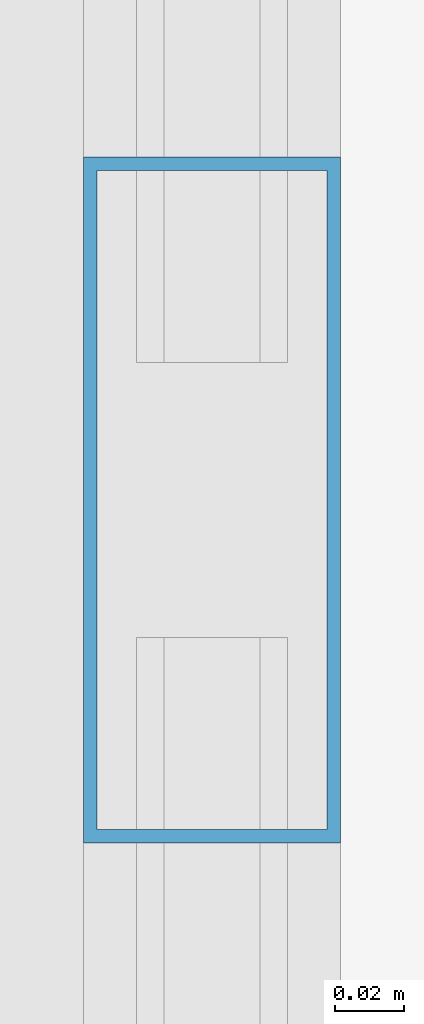
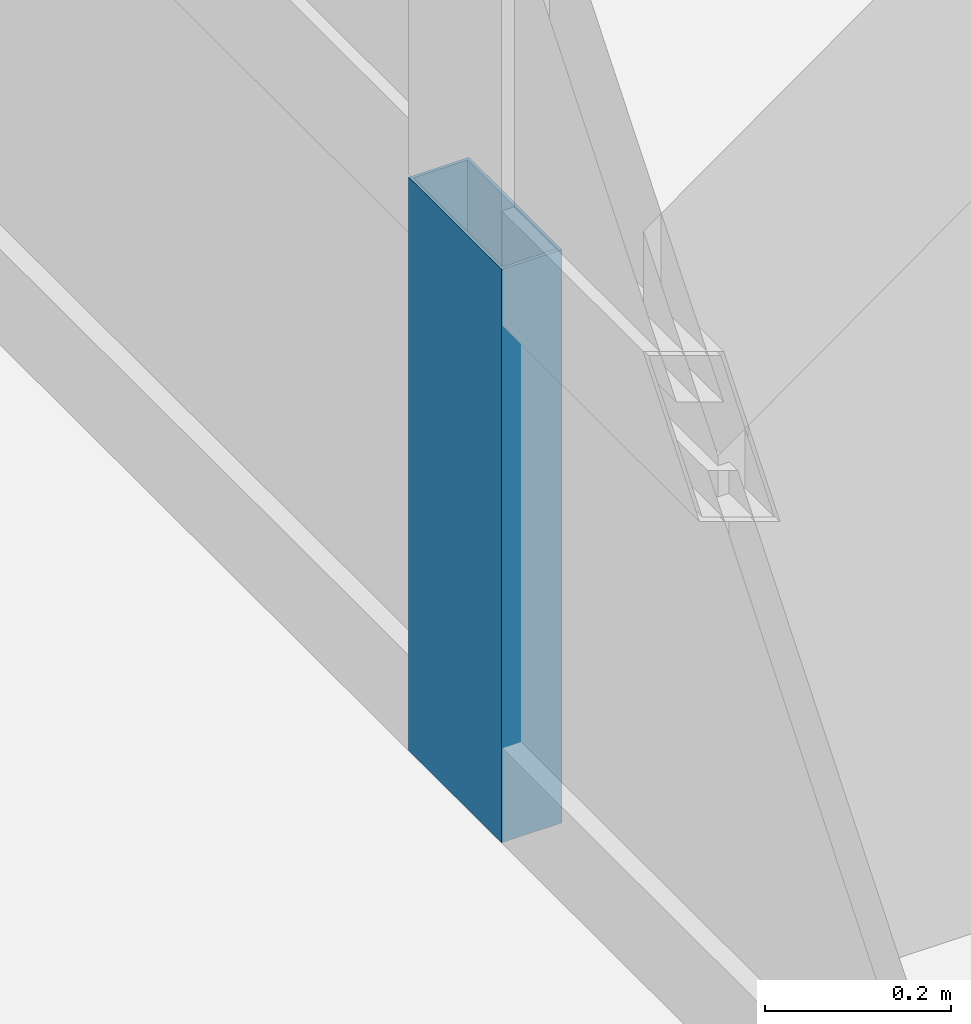
# One storey, part 22 of 34: 1 member, 1 element without a shape of its own.
"""IFC4 building model written with IfcOpenShell, lengths in metres."""

import ifcopenshell
import ifcopenshell.guid

model = None  # the IFC model being written
_history = None  # IfcOwnerHistory: only IFC2X3 demands one
_inside = {}  # id of a spatial element -> (the spatial element, [elements in it])
_under = {}  # id of a project, library or spatial element -> (it, [spatial elements below it])
_declared = {}  # id of a project -> (the project, [libraries it declares])
_typed = {}  # id of a type object -> (the type object, [elements of that type])
_made_of = {}  # id of a material, layer set ... -> (it, [elements and type objects made of it])


def new_model(schema):
    """Start an empty IFC model of exactly this schema.

    Asked for "IFC4X3", IfcOpenShell would pick the latest addendum, in which some entities
    have other attributes; the version numbers below select the first issue.
    IFC2X3 requires an IfcOwnerHistory on every rooted entity: one is made here for all.
    """
    global model, _history
    if schema == "IFC4X3":
        model = ifcopenshell.file(schema_version=(4, 3, 0, 0))
    else:
        model = ifcopenshell.file(schema=schema)
    _inside.clear()
    _under.clear()
    _declared.clear()
    _typed.clear()
    _made_of.clear()
    _history = None
    if model.schema == "IFC2X3":
        org = make("IfcOrganization", Name="unknown")
        user = make(
            "IfcPersonAndOrganization",
            ThePerson=make("IfcPerson", FamilyName="unknown"),
            TheOrganization=org,
        )
        app = make(
            "IfcApplication",
            ApplicationDeveloper=org,
            Version="unknown",
            ApplicationFullName="unknown",
            ApplicationIdentifier="unknown",
        )
        _history = make(
            "IfcOwnerHistory",
            OwningUser=user,
            OwningApplication=app,
            ChangeAction="ADDED",
            CreationDate=0,
        )
    return model


def make(cls, **values):
    """One entity of the class cls with the attributes given. An attribute that is None is left unset."""
    return model.create_entity(
        cls, **{name: value for name, value in values.items() if value is not None}
    )


def rooted(cls, **values):
    """An entity with a GlobalId (a new one), such as an element, a storey or a relation."""
    return make(cls, GlobalId=ifcopenshell.guid.new(), OwnerHistory=_history, **values)


def si_unit(unit_type, name, prefix=None):
    """IfcSIUnit, for example si_unit("LENGTHUNIT", "METRE", prefix="MILLI")."""
    return make("IfcSIUnit", UnitType=unit_type, Prefix=prefix, Name=name)


def assignment(units):
    """IfcUnitAssignment: the units of a project."""
    return None if units is None else make("IfcUnitAssignment", Units=units)


def point(xyz):
    """IfcCartesianPoint."""
    return None if xyz is None else make("IfcCartesianPoint", Coordinates=xyz)


def direction(xyz):
    """IfcDirection."""
    return None if xyz is None else make("IfcDirection", DirectionRatios=xyz)


def frame(location, z_axis=None, x_axis=None):
    """IfcAxis2Placement3D, a coordinate frame: its origin and axes. An axis left out is left unset."""
    return make(
        "IfcAxis2Placement3D",
        Location=point(location),
        Axis=direction(z_axis),
        RefDirection=direction(x_axis),
    )


def frame_2d(location, x_axis=None):
    """IfcAxis2Placement2D, a coordinate frame in the plane: its origin and x axis."""
    return make(
        "IfcAxis2Placement2D", Location=point(location), RefDirection=direction(x_axis)
    )


def origin():
    """The frame at (0, 0, 0) with its axes left unset."""
    return frame((0.0, 0.0, 0.0))


def origin_2d():
    """The frame at (0, 0) in the plane with its x axis left unset."""
    return frame_2d((0.0, 0.0))


def place(relative_to, where):
    """IfcLocalPlacement: puts the frame where relative to a parent placement (None: the world)."""
    return make(
        "IfcLocalPlacement", PlacementRelTo=relative_to, RelativePlacement=where
    )


def context(
    kind, dimensions, precision=None, world=None, true_north=None, identifier=None
):
    """IfcGeometricRepresentationContext, for example the 3D "Model" context."""
    return make(
        "IfcGeometricRepresentationContext",
        ContextIdentifier=identifier,
        ContextType=kind,
        CoordinateSpaceDimension=dimensions,
        Precision=precision,
        WorldCoordinateSystem=world,
        TrueNorth=true_north,
    )


def subcontext(parent, identifier, kind, view, scale=None):
    """IfcGeometricRepresentationSubContext, for example "Body" below "Model"."""
    return make(
        "IfcGeometricRepresentationSubContext",
        ContextIdentifier=identifier,
        ContextType=kind,
        ParentContext=parent,
        TargetScale=scale,
        TargetView=view,
    )


def project(units=None, contexts=None):
    """IfcProject with its units and contexts."""
    return rooted(
        "IfcProject",
        Name="project",
        RepresentationContexts=contexts,
        UnitsInContext=assignment(units),
    )


def spatial(cls, under=None, at=None, **own):
    """A site, building, storey or space (cls), placed at a placement, below another one or the project."""
    s = rooted(cls, ObjectPlacement=at, **own)
    if under is not None:
        _under.setdefault(under.id(), (under, []))[1].append(s)
    return s


def profile(cls, at=None, kind="AREA", **sizes):
    """A parametric profile (cls). Its sizes go by their IFC names, for example OverallWidth=200.0."""
    return make(cls, ProfileType=kind, Position=at, **sizes)


def hollow_rectangle(**sizes):
    """IfcRectangleHollowProfileDef."""
    return profile("IfcRectangleHollowProfileDef", **sizes)


def extrude(swept, where, along, depth):
    """IfcExtrudedAreaSolid: the profile swept, set in the frame where, extruded along a direction by depth."""
    return make(
        "IfcExtrudedAreaSolid",
        SweptArea=swept,
        Position=where,
        ExtrudedDirection=direction(along),
        Depth=depth,
    )


def shape(context_of_items, identifier, shape_type, items):
    """IfcShapeRepresentation: the items that make up one representation, for example the "Body"."""
    return make(
        "IfcShapeRepresentation",
        ContextOfItems=context_of_items,
        RepresentationIdentifier=identifier,
        RepresentationType=shape_type,
        Items=items,
    )


def source(mapping_origin, context_of_items, identifier, shape_type, items):
    """IfcRepresentationMap: a shape defined once, which mapped items show again and again."""
    return make(
        "IfcRepresentationMap",
        MappingOrigin=mapping_origin,
        MappedRepresentation=shape(context_of_items, identifier, shape_type, items),
    )


def transform(
    local_origin,
    x_axis=None,
    y_axis=None,
    z_axis=None,
    scale=None,
    scale2=None,
    scale3=None,
    uniform=True,
):
    """IfcCartesianTransformationOperator3D, or its non-uniform kind. x_axis, y_axis, z_axis: its Axis1, 2, 3."""
    if uniform:
        return make(
            "IfcCartesianTransformationOperator3D",
            Axis1=direction(x_axis),
            Axis2=direction(y_axis),
            LocalOrigin=point(local_origin),
            Scale=scale,
            Axis3=direction(z_axis),
        )
    return make(
        "IfcCartesianTransformationOperator3DnonUniform",
        Axis1=direction(x_axis),
        Axis2=direction(y_axis),
        LocalOrigin=point(local_origin),
        Scale=scale,
        Axis3=direction(z_axis),
        Scale2=scale2,
        Scale3=scale3,
    )


def mapped(mapping_source, mapping_target):
    """IfcMappedItem: shows the shape of a source again, moved by a transform."""
    return make(
        "IfcMappedItem", MappingSource=mapping_source, MappingTarget=mapping_target
    )


def material(Name=None, Category=None):
    """IfcMaterial."""
    return make("IfcMaterial", Name=Name, Category=Category)


def layer(
    of_material, thickness, ventilated=None, Name=None, Category=None, Priority=None
):
    """IfcMaterialLayer: one layer of a wall or slab, of a material (None: an air gap)."""
    return make(
        "IfcMaterialLayer",
        Material=of_material,
        LayerThickness=thickness,
        IsVentilated=ventilated,
        Name=Name,
        Category=Category,
        Priority=Priority,
    )


def layer_set(layers, Name=None):
    """IfcMaterialLayerSet."""
    return make("IfcMaterialLayerSet", MaterialLayers=layers, LayerSetName=Name)


def material_profile(
    of_material, cross_section, Name=None, Category=None, Priority=None
):
    """IfcMaterialProfile: a cross section and its material."""
    return make(
        "IfcMaterialProfile",
        Name=Name,
        Material=of_material,
        Profile=cross_section,
        Priority=Priority,
        Category=Category,
    )


def profile_set(profiles, Name=None, composite=None):
    """IfcMaterialProfileSet."""
    return make(
        "IfcMaterialProfileSet",
        Name=Name,
        MaterialProfiles=profiles,
        CompositeProfile=composite,
    )


def made_of(thing, what):
    """Note that an element or type object is made of a material, layer set ...; save() writes the relation."""
    if what is not None:
        _made_of.setdefault(what.id(), (what, []))[1].append(thing)
    return thing


def type_object(cls, material=None, **own):
    """A type object (cls), such as IfcWallType, which elements share."""
    return made_of(rooted(cls, **own), material)


def element(
    cls,
    number,
    at=None,
    inside=None,
    cuts=None,
    type_object=None,
    material=None,
    context=None,
    identifier="Body",
    shape_type=None,
    held_by="IfcProductDefinitionShape",
    body=None,
    shapes=None,
    **own,
):
    """One element of the class cls, such as IfcWall. Its Tag is "e" and its number.

    at: its placement. inside: the storey or other place that contains it. cuts: it is an
    opening in that element (IfcRelVoidsElement). A single representation is given by context,
    identifier, shape_type and body (its items); several are given by shapes. held_by: the class
    of the entity that holds the representations. save() writes the other relations.
    """
    e = rooted(cls, Tag="e%d" % number, ObjectPlacement=at, **own)
    if body is not None:
        shapes = [shape(context, identifier, shape_type, body)]
    if shapes is not None:
        e.Representation = make(held_by, Representations=shapes)
    if inside is not None:
        _inside.setdefault(inside.id(), (inside, []))[1].append(e)
    if cuts is not None:
        rooted(
            "IfcRelVoidsElement", RelatingBuildingElement=cuts, RelatedOpeningElement=e
        )
    if type_object is not None:
        _typed.setdefault(type_object.id(), (type_object, []))[1].append(e)
    return made_of(e, material)


def aggregate(whole, parts):
    """IfcRelAggregates: a whole, such as a stair, and the parts it consists of."""
    return rooted("IfcRelAggregates", RelatingObject=whole, RelatedObjects=parts)


def save(model, path):
    """Write the relations noted so far, then the file.

    IfcRelAggregates (storeys below a building ...), IfcRelContainedInSpatialStructure (elements
    in a storey), IfcRelDefinesByType, IfcRelAssociatesMaterial and IfcRelDeclares: one each for
    every whole, place, type object, material and project.
    """
    for whole, parts in _under.values():
        aggregate(whole, parts)
    for where, things in _inside.values():
        rooted(
            "IfcRelContainedInSpatialStructure",
            RelatedElements=things,
            RelatingStructure=where,
        )
    for kind, things in _typed.values():
        rooted("IfcRelDefinesByType", RelatedObjects=things, RelatingType=kind)
    for what, things in _made_of.values():
        rooted("IfcRelAssociatesMaterial", RelatedObjects=things, RelatingMaterial=what)
    for by, libraries in _declared.values():
        rooted("IfcRelDeclares", RelatingContext=by, RelatedDefinitions=libraries)
    model.write(path)


model = new_model("IFC4")

# Units and contexts
model_context = context("Model", 3, precision=1e-05, world=origin(), true_north=direction((0.0, 1.0)))
body_context = subcontext(model_context, "Body", "Model", "MODEL_VIEW")
ifc_project = project(units=[si_unit("LENGTHUNIT", "METRE"), si_unit("AREAUNIT", "SQUARE_METRE"), si_unit("VOLUMEUNIT", "CUBIC_METRE"), si_unit("PLANEANGLEUNIT", "RADIAN"), si_unit("MASSUNIT", "GRAM", prefix="KILO"), si_unit("THERMODYNAMICTEMPERATUREUNIT", "KELVIN"), si_unit("POWERUNIT", "WATT")], contexts=[model_context])

# Site, building, storey
site_placement = place(None, origin())
site = spatial("IfcSite", under=ifc_project, at=site_placement, CompositionType="ELEMENT")
building_placement = place(site_placement, origin())
building = spatial("IfcBuilding", under=site, at=building_placement, Name="Yuzanri Waterfront Tower", CompositionType="ELEMENT")
storey_placement = place(building_placement, frame((0.0, 0.0, 325.199951171875)))
storey = spatial("IfcBuildingStorey", under=building, at=storey_placement, Name="L87", CompositionType="ELEMENT", Elevation=325.199951171875)

# Curtain wall, member
ifc_material_1 = material(Name="Anodized Architectural Bronze", Category="metal")
ifc_layer = layer(ifc_material_1, 0.159912109375)
ifc_layer_set = layer_set([ifc_layer], Name="Anodized Architectural Bronze")
curtain_wall_type = type_object("IfcCurtainWallType", Name="Anodized Bronze High-Rise Penthouse High-Wind Unitized Curtain Wall 6900", PredefinedType="NOTDEFINED", material=ifc_layer_set)
curtain_wall_placement = place(storey_placement, origin())
curtain_wall = element("IfcCurtainWall", 1, at=curtain_wall_placement, inside=storey, type_object=curtain_wall_type, Name="L87 Curtain Wall CW-L87-WL", PredefinedType="NOTDEFINED")
ifc_material_2 = material(Name="Anodized Architectural Bronze", Category="metal")
ifc_material_profile = material_profile(ifc_material_2, hollow_rectangle(XDim=0.074951171875, YDim=0.199951171875, WallThickness=0.00390625, at=origin_2d()), Name="CWM 75x200")
ifc_profile_set = profile_set([ifc_material_profile], Name="Anodized Architectural Bronze")
member_type = type_object("IfcMemberType", Name="Anodized Bronze Primary Curtain-Wall Mullion 75x200", PredefinedType="MULLION", material=ifc_profile_set)
shared_shape = source(origin(), body_context, "Body", "SweptSolid", [
    extrude(hollow_rectangle(XDim=0.074951171875, YDim=0.199951171875, WallThickness=0.00390625, at=origin_2d()), origin(), (0.0, 0.0, 1.0), 0.751953125),
])
member_placement = place(storey_placement, frame((18.050048828125, 19.75, 0.0), z_axis=(0.0, 0.0, 1.0), x_axis=(1.0, 0.0, 0.0)))
member = element("IfcMember", 2, at=member_placement, type_object=member_type, Name="CW-L87-WL Lower Mullion 01", PredefinedType="MULLION", context=body_context, shape_type="MappedRepresentation", body=[
    mapped(shared_shape, transform((0.0, 0.0, 0.0), scale=1.0)),
])
aggregate(curtain_wall, [member])

save(model, "model.ifc")
